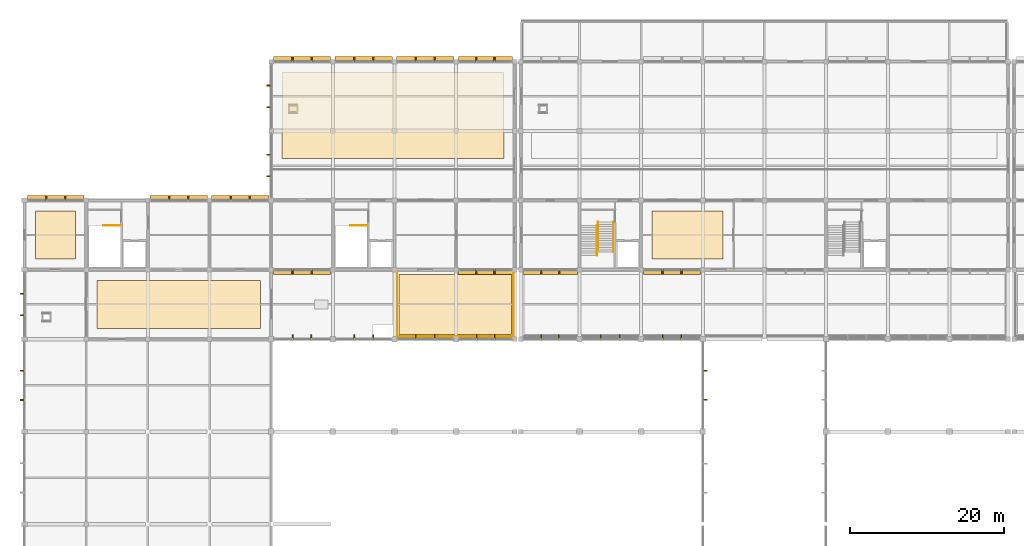
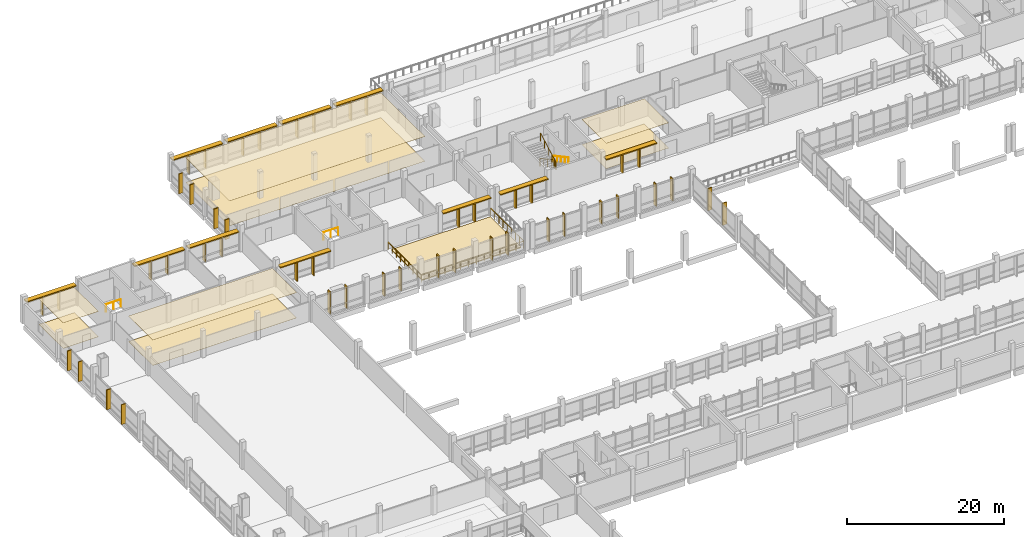
# One storey, part 67 of 70: 57 shading devices, 9 coverings, 5 railings.
"""IFC4 building model written with IfcOpenShell, lengths in metres."""

import ifcopenshell
import ifcopenshell.guid

model = None  # the IFC model being written
_history = None  # IfcOwnerHistory: only IFC2X3 demands one
_inside = {}  # id of a spatial element -> (the spatial element, [elements in it])
_under = {}  # id of a project, library or spatial element -> (it, [spatial elements below it])
_declared = {}  # id of a project -> (the project, [libraries it declares])
_typed = {}  # id of a type object -> (the type object, [elements of that type])
_made_of = {}  # id of a material, layer set ... -> (it, [elements and type objects made of it])


def new_model(schema):
    """Start an empty IFC model of exactly this schema.

    Asked for "IFC4X3", IfcOpenShell would pick the latest addendum, in which some entities
    have other attributes; the version numbers below select the first issue.
    IFC2X3 requires an IfcOwnerHistory on every rooted entity: one is made here for all.
    """
    global model, _history
    if schema == "IFC4X3":
        model = ifcopenshell.file(schema_version=(4, 3, 0, 0))
    else:
        model = ifcopenshell.file(schema=schema)
    _inside.clear()
    _under.clear()
    _declared.clear()
    _typed.clear()
    _made_of.clear()
    _history = None
    if model.schema == "IFC2X3":
        org = make("IfcOrganization", Name="unknown")
        user = make(
            "IfcPersonAndOrganization",
            ThePerson=make("IfcPerson", FamilyName="unknown"),
            TheOrganization=org,
        )
        app = make(
            "IfcApplication",
            ApplicationDeveloper=org,
            Version="unknown",
            ApplicationFullName="unknown",
            ApplicationIdentifier="unknown",
        )
        _history = make(
            "IfcOwnerHistory",
            OwningUser=user,
            OwningApplication=app,
            ChangeAction="ADDED",
            CreationDate=0,
        )
    return model


def make(cls, **values):
    """One entity of the class cls with the attributes given. An attribute that is None is left unset."""
    return model.create_entity(
        cls, **{name: value for name, value in values.items() if value is not None}
    )


def rooted(cls, **values):
    """An entity with a GlobalId (a new one), such as an element, a storey or a relation."""
    return make(cls, GlobalId=ifcopenshell.guid.new(), OwnerHistory=_history, **values)


def si_unit(unit_type, name, prefix=None):
    """IfcSIUnit, for example si_unit("LENGTHUNIT", "METRE", prefix="MILLI")."""
    return make("IfcSIUnit", UnitType=unit_type, Prefix=prefix, Name=name)


def assignment(units):
    """IfcUnitAssignment: the units of a project."""
    return None if units is None else make("IfcUnitAssignment", Units=units)


def point(xyz):
    """IfcCartesianPoint."""
    return None if xyz is None else make("IfcCartesianPoint", Coordinates=xyz)


def direction(xyz):
    """IfcDirection."""
    return None if xyz is None else make("IfcDirection", DirectionRatios=xyz)


def frame(location, z_axis=None, x_axis=None):
    """IfcAxis2Placement3D, a coordinate frame: its origin and axes. An axis left out is left unset."""
    return make(
        "IfcAxis2Placement3D",
        Location=point(location),
        Axis=direction(z_axis),
        RefDirection=direction(x_axis),
    )


def frame_2d(location, x_axis=None):
    """IfcAxis2Placement2D, a coordinate frame in the plane: its origin and x axis."""
    return make(
        "IfcAxis2Placement2D", Location=point(location), RefDirection=direction(x_axis)
    )


def origin():
    """The frame at (0, 0, 0) with its axes left unset."""
    return frame((0.0, 0.0, 0.0))


def origin_2d():
    """The frame at (0, 0) in the plane with its x axis left unset."""
    return frame_2d((0.0, 0.0))


def place(relative_to, where):
    """IfcLocalPlacement: puts the frame where relative to a parent placement (None: the world)."""
    return make(
        "IfcLocalPlacement", PlacementRelTo=relative_to, RelativePlacement=where
    )


def context(
    kind, dimensions, precision=None, world=None, true_north=None, identifier=None
):
    """IfcGeometricRepresentationContext, for example the 3D "Model" context."""
    return make(
        "IfcGeometricRepresentationContext",
        ContextIdentifier=identifier,
        ContextType=kind,
        CoordinateSpaceDimension=dimensions,
        Precision=precision,
        WorldCoordinateSystem=world,
        TrueNorth=true_north,
    )


def subcontext(parent, identifier, kind, view, scale=None):
    """IfcGeometricRepresentationSubContext, for example "Body" below "Model"."""
    return make(
        "IfcGeometricRepresentationSubContext",
        ContextIdentifier=identifier,
        ContextType=kind,
        ParentContext=parent,
        TargetScale=scale,
        TargetView=view,
    )


def project(units=None, contexts=None):
    """IfcProject with its units and contexts."""
    return rooted(
        "IfcProject",
        Name="project",
        RepresentationContexts=contexts,
        UnitsInContext=assignment(units),
    )


def spatial(cls, under=None, at=None, **own):
    """A site, building, storey or space (cls), placed at a placement, below another one or the project."""
    s = rooted(cls, ObjectPlacement=at, **own)
    if under is not None:
        _under.setdefault(under.id(), (under, []))[1].append(s)
    return s


def polyline(points):
    """IfcPolyline through the points."""
    return make("IfcPolyline", Points=[point(p) for p in points])


def profile(cls, at=None, kind="AREA", **sizes):
    """A parametric profile (cls). Its sizes go by their IFC names, for example OverallWidth=200.0."""
    return make(cls, ProfileType=kind, Position=at, **sizes)


def rectangle(**sizes):
    """IfcRectangleProfileDef."""
    return profile("IfcRectangleProfileDef", **sizes)


def circle(**sizes):
    """IfcCircleProfileDef."""
    return profile("IfcCircleProfileDef", **sizes)


def outline(outer, holes=None, kind="AREA"):
    """IfcArbitraryClosedProfileDef: a profile drawn as a closed curve; with holes, ...WithVoids."""
    if holes is None:
        return make("IfcArbitraryClosedProfileDef", ProfileType=kind, OuterCurve=outer)
    return make(
        "IfcArbitraryProfileDefWithVoids",
        ProfileType=kind,
        OuterCurve=outer,
        InnerCurves=holes,
    )


def extrude(swept, where, along, depth):
    """IfcExtrudedAreaSolid: the profile swept, set in the frame where, extruded along a direction by depth."""
    return make(
        "IfcExtrudedAreaSolid",
        SweptArea=swept,
        Position=where,
        ExtrudedDirection=direction(along),
        Depth=depth,
    )


def shape(context_of_items, identifier, shape_type, items):
    """IfcShapeRepresentation: the items that make up one representation, for example the "Body"."""
    return make(
        "IfcShapeRepresentation",
        ContextOfItems=context_of_items,
        RepresentationIdentifier=identifier,
        RepresentationType=shape_type,
        Items=items,
    )


def material(Name=None, Category=None):
    """IfcMaterial."""
    return make("IfcMaterial", Name=Name, Category=Category)


def layer(
    of_material, thickness, ventilated=None, Name=None, Category=None, Priority=None
):
    """IfcMaterialLayer: one layer of a wall or slab, of a material (None: an air gap)."""
    return make(
        "IfcMaterialLayer",
        Material=of_material,
        LayerThickness=thickness,
        IsVentilated=ventilated,
        Name=Name,
        Category=Category,
        Priority=Priority,
    )


def layer_set(layers, Name=None):
    """IfcMaterialLayerSet."""
    return make("IfcMaterialLayerSet", MaterialLayers=layers, LayerSetName=Name)


def made_of(thing, what):
    """Note that an element or type object is made of a material, layer set ...; save() writes the relation."""
    if what is not None:
        _made_of.setdefault(what.id(), (what, []))[1].append(thing)
    return thing


def type_object(cls, material=None, **own):
    """A type object (cls), such as IfcWallType, which elements share."""
    return made_of(rooted(cls, **own), material)


def element(
    cls,
    number,
    at=None,
    inside=None,
    cuts=None,
    type_object=None,
    material=None,
    context=None,
    identifier="Body",
    shape_type=None,
    held_by="IfcProductDefinitionShape",
    body=None,
    shapes=None,
    **own,
):
    """One element of the class cls, such as IfcWall. Its Tag is "e" and its number.

    at: its placement. inside: the storey or other place that contains it. cuts: it is an
    opening in that element (IfcRelVoidsElement). A single representation is given by context,
    identifier, shape_type and body (its items); several are given by shapes. held_by: the class
    of the entity that holds the representations. save() writes the other relations.
    """
    e = rooted(cls, Tag="e%d" % number, ObjectPlacement=at, **own)
    if body is not None:
        shapes = [shape(context, identifier, shape_type, body)]
    if shapes is not None:
        e.Representation = make(held_by, Representations=shapes)
    if inside is not None:
        _inside.setdefault(inside.id(), (inside, []))[1].append(e)
    if cuts is not None:
        rooted(
            "IfcRelVoidsElement", RelatingBuildingElement=cuts, RelatedOpeningElement=e
        )
    if type_object is not None:
        _typed.setdefault(type_object.id(), (type_object, []))[1].append(e)
    return made_of(e, material)


def aggregate(whole, parts):
    """IfcRelAggregates: a whole, such as a stair, and the parts it consists of."""
    return rooted("IfcRelAggregates", RelatingObject=whole, RelatedObjects=parts)


def save(model, path):
    """Write the relations noted so far, then the file.

    IfcRelAggregates (storeys below a building ...), IfcRelContainedInSpatialStructure (elements
    in a storey), IfcRelDefinesByType, IfcRelAssociatesMaterial and IfcRelDeclares: one each for
    every whole, place, type object, material and project.
    """
    for whole, parts in _under.values():
        aggregate(whole, parts)
    for where, things in _inside.values():
        rooted(
            "IfcRelContainedInSpatialStructure",
            RelatedElements=things,
            RelatingStructure=where,
        )
    for kind, things in _typed.values():
        rooted("IfcRelDefinesByType", RelatedObjects=things, RelatingType=kind)
    for what, things in _made_of.values():
        rooted("IfcRelAssociatesMaterial", RelatedObjects=things, RelatingMaterial=what)
    for by, libraries in _declared.values():
        rooted("IfcRelDeclares", RelatingContext=by, RelatedDefinitions=libraries)
    model.write(path)


model = new_model("IFC4")

# Units and contexts
model_context = context("Model", 3, precision=1e-05, world=origin(), true_north=direction((0.0, 1.0)))
body_context = subcontext(model_context, "Body", "Model", "MODEL_VIEW")
ifc_project = project(units=[si_unit("LENGTHUNIT", "METRE"), si_unit("AREAUNIT", "SQUARE_METRE"), si_unit("VOLUMEUNIT", "CUBIC_METRE"), si_unit("PLANEANGLEUNIT", "RADIAN"), si_unit("MASSUNIT", "GRAM", prefix="KILO"), si_unit("THERMODYNAMICTEMPERATUREUNIT", "KELVIN"), si_unit("POWERUNIT", "WATT")], contexts=[model_context])

# Site, building, storey
site_placement = place(None, origin())
site = spatial("IfcSite", under=ifc_project, at=site_placement, CompositionType="ELEMENT")
building_placement = place(site_placement, origin())
building = spatial("IfcBuilding", under=site, at=building_placement, Name="Kronsvod Quay Wholesale Market", CompositionType="ELEMENT")
storey_placement = place(building_placement, frame((0.0, 0.0, 9.0)))
storey = spatial("IfcBuildingStorey", under=building, at=storey_placement, Name="L02", CompositionType="ELEMENT", Elevation=9.0)

# Coverings
ifc_material_1 = material(Name="Perforated acoustic mineral-wool ceiling")
ifc_layer_1 = layer(ifc_material_1, 0.030029296875)
ifc_layer_set_1 = layer_set([ifc_layer_1], Name="Perforated acoustic mineral-wool ceiling")
covering_type_1 = type_object("IfcCoveringType", Name="Cov_Ceil01", PredefinedType="CEILING", material=ifc_layer_set_1)
covering_1_placement = place(storey_placement, frame((0.0, 0.0, 3.919921875)))
element("IfcCovering", 1, at=covering_1_placement, inside=storey, type_object=covering_type_1, Name="CLG-SP-L02-V5-05A", PredefinedType="CEILING", context=body_context, shape_type="SweptSolid", body=[
    extrude(outline(polyline([(81.39990234375, 100.39990234375), (90.60009765625, 100.39990234375), (90.60009765625, 106.60009765625), (81.39990234375, 106.60009765625), (81.39990234375, 100.39990234375)])), origin(), (0.0, 0.0, 1.0), 0.030029296875),
])
covering_2_placement = place(storey_placement, frame((0.0, 0.0, 3.860107421875)))
element("IfcCovering", 2, at=covering_2_placement, inside=storey, type_object=covering_type_1, Name="CLG-SP-L02-V5-10", PredefinedType="CEILING", context=body_context, shape_type="SweptSolid", body=[
    extrude(outline(polyline([(33.39990234375, 113.39990234375), (62.199951171875, 113.39990234375), (62.199951171875, 124.60009765625), (33.39990234375, 124.60009765625), (33.39990234375, 113.39990234375)])), origin(), (0.0, 0.0, 1.0), 0.02978515625),
])
ifc_material_2 = material(Name="Moisture-resistant gypsum board ceiling")
ifc_layer_2 = layer(ifc_material_2, 0.02490234375)
ifc_layer_set_2 = layer_set([ifc_layer_2], Name="Moisture-resistant gypsum board ceiling")
covering_type_2 = type_object("IfcCoveringType", Name="Cov_Ceil03", PredefinedType="CEILING", material=ifc_layer_set_2)
covering_3_placement = place(storey_placement, frame((0.0, 0.0, 3.955078125)))
element("IfcCovering", 3, at=covering_3_placement, inside=storey, type_object=covering_type_2, Name="CLG-SP-L02-V3-06", PredefinedType="CEILING", context=body_context, shape_type="SweptSolid", body=[
    extrude(outline(polyline([(9.39990234375, 91.39990234375), (30.60009765625, 91.39990234375), (30.60009765625, 97.60009765625), (9.39990234375, 97.60009765625), (9.39990234375, 91.39990234375)])), origin(), (0.0, 0.0, 1.0), 0.02490234375),
])
covering_4_placement = place(storey_placement, frame((0.0, 0.0, 3.955078125)))
element("IfcCovering", 4, at=covering_4_placement, inside=storey, type_object=covering_type_2, Name="CLG-SP-L02-V3-07", PredefinedType="CEILING", context=body_context, shape_type="SweptSolid", body=[
    extrude(outline(polyline([(1.39990234375, 100.39990234375), (6.60009765625, 100.39990234375), (6.60009765625, 106.60009765625), (1.39990234375, 106.60009765625), (1.39990234375, 100.39990234375)])), origin(), (0.0, 0.0, 1.0), 0.02490234375),
])
ifc_material_3 = material(Name="Heavy-duty polyurethane resin market screed")
ifc_layer_3 = layer(ifc_material_3, 0.02001953125)
ifc_layer_set_3 = layer_set([ifc_layer_3], Name="Heavy-duty polyurethane resin market screed")
covering_type_3 = type_object("IfcCoveringType", Name="Cov_Floor01", PredefinedType="FLOORING", material=ifc_layer_set_3)
covering_5_placement = place(storey_placement, origin())
element("IfcCovering", 5, at=covering_5_placement, inside=storey, type_object=covering_type_3, Name="FLR-SP-L02-V3-07", PredefinedType="FLOORING", context=body_context, shape_type="SweptSolid", body=[
    extrude(outline(polyline([(1.39990234375, 100.39990234375), (6.60009765625, 100.39990234375), (6.60009765625, 106.60009765625), (1.39990234375, 106.60009765625), (1.39990234375, 100.39990234375)])), origin(), (0.0, 0.0, 1.0), 0.02001953125),
])
ifc_material_4 = material(Name="Polished terrazzo concourse flooring")
ifc_layer_4 = layer(ifc_material_4, 0.01806640625)
ifc_layer_set_4 = layer_set([ifc_layer_4], Name="Polished terrazzo concourse flooring")
covering_type_4 = type_object("IfcCoveringType", Name="Cov_Floor03", PredefinedType="FLOORING", material=ifc_layer_set_4)
covering_6_placement = place(storey_placement, origin())
element("IfcCovering", 6, at=covering_6_placement, inside=storey, type_object=covering_type_4, Name="FLR-SP-L02-V3-06", PredefinedType="FLOORING", context=body_context, shape_type="SweptSolid", body=[
    extrude(outline(polyline([(9.39990234375, 91.39990234375), (30.60009765625, 91.39990234375), (30.60009765625, 97.60009765625), (9.39990234375, 97.60009765625), (9.39990234375, 91.39990234375)])), origin(), (0.0, 0.0, 1.0), 0.01806640625),
])
covering_7_placement = place(storey_placement, origin())
element("IfcCovering", 7, at=covering_7_placement, inside=storey, type_object=covering_type_4, Name="FLR-SP-L02-V5-05A", PredefinedType="FLOORING", context=body_context, shape_type="SweptSolid", body=[
    extrude(outline(polyline([(81.39990234375, 100.39990234375), (90.60009765625, 100.39990234375), (90.60009765625, 106.60009765625), (81.39990234375, 106.60009765625), (81.39990234375, 100.39990234375)])), origin(), (0.0, 0.0, 1.0), 0.01806640625),
])
covering_8_placement = place(storey_placement, origin())
element("IfcCovering", 8, at=covering_8_placement, inside=storey, type_object=covering_type_4, Name="FLR-SP-L02-V5-10", PredefinedType="FLOORING", context=body_context, shape_type="SweptSolid", body=[
    extrude(outline(polyline([(33.39990234375, 113.39990234375), (62.199951171875, 113.39990234375), (62.199951171875, 124.60009765625), (33.39990234375, 124.60009765625), (33.39990234375, 113.39990234375)])), origin(), (0.0, 0.0, 1.0), 0.01806640625),
])
ifc_material_5 = material(Name="Planted green roof sedum substrate")
ifc_layer_5 = layer(ifc_material_5, 0.139892578125)
ifc_layer_set_5 = layer_set([ifc_layer_5], Name="Planted green roof sedum substrate")
covering_type_5 = type_object("IfcCoveringType", Name="Cov_GreenRoofSubstrate", PredefinedType="ROOFING", material=ifc_layer_set_5)
covering_9_placement = place(storey_placement, origin())
element("IfcCovering", 9, at=covering_9_placement, inside=storey, type_object=covering_type_5, Name="COV-GD-L02W", PredefinedType="ROOFING", context=body_context, shape_type="SweptSolid", body=[
    extrude(outline(polyline([(48.60009765625, 90.60009765625), (63.199951171875, 90.60009765625), (63.199951171875, 98.39990234375), (48.60009765625, 98.39990234375), (48.60009765625, 90.60009765625)])), origin(), (0.0, 0.0, 1.0), 0.139892578125),
])

# Railings
ifc_material_6 = material(Name="Stainless steel and laminated glass", Category="steel")
railing_type_1 = type_object("IfcRailingType", Name="Railing_Balustrade1150", PredefinedType="BALUSTRADE", material=ifc_material_6)
railing_1_placement = place(storey_placement, frame((48.35009765625, 98.800048828125, 0.0)))
element("IfcRailing", 10, at=railing_1_placement, inside=storey, type_object=railing_type_1, Name="GRD-L02-GD1", PredefinedType="BALUSTRADE", context=body_context, shape_type="SweptSolid", body=[
    extrude(circle(Radius=0.02392578125, at=origin_2d()), frame((0.0, 0.0, 1.1259765625), z_axis=(0.0, -1.0, 0.0), x_axis=(1.0, 0.0, 0.0)), (0.0, 0.0, 1.0), 8.449951171875),
    extrude(circle(Radius=0.02392578125, at=origin_2d()), frame((0.0, -8.449951171875, 1.1259765625), z_axis=(1.0, 0.0, 0.0), x_axis=(0.0, 1.0, 0.0)), (0.0, 0.0, 1.0), 15.099853515625),
    extrude(circle(Radius=0.02392578125, at=origin_2d()), frame((15.099853515625, -8.449951171875, 1.1259765625), z_axis=(0.0, 1.0, 0.0), x_axis=(-1.0, 0.0, 0.0)), (0.0, 0.0, 1.0), 8.449951171875),
    extrude(circle(Radius=0.02099609375, at=origin_2d()), origin(), (0.0, 0.0, 1.0), 1.101806640625),
    extrude(circle(Radius=0.02099609375, at=origin_2d()), frame((0.0, -1.05615234375, 0.0)), (0.0, 0.0, 1.0), 1.101806640625),
    extrude(circle(Radius=0.02099609375, at=origin_2d()), frame((0.0, -2.112548828125, 0.0)), (0.0, 0.0, 1.0), 1.101806640625),
    extrude(circle(Radius=0.02099609375, at=origin_2d()), frame((0.0, -3.168701171875, 0.0)), (0.0, 0.0, 1.0), 1.101806640625),
    extrude(circle(Radius=0.02099609375, at=origin_2d()), frame((0.0, -4.22509765625, 0.0)), (0.0, 0.0, 1.0), 1.101806640625),
    extrude(circle(Radius=0.02099609375, at=origin_2d()), frame((0.0, -5.28125, 0.0)), (0.0, 0.0, 1.0), 1.101806640625),
    extrude(circle(Radius=0.02099609375, at=origin_2d()), frame((0.0, -6.33740234375, 0.0)), (0.0, 0.0, 1.0), 1.101806640625),
    extrude(circle(Radius=0.02099609375, at=origin_2d()), frame((0.0, -7.393798828125, 0.0)), (0.0, 0.0, 1.0), 1.101806640625),
    extrude(circle(Radius=0.02099609375, at=origin_2d()), frame((0.0, -8.449951171875, 0.0)), (0.0, 0.0, 1.0), 1.101806640625),
    extrude(circle(Radius=0.02099609375, at=origin_2d()), frame((1.16162109375, -8.449951171875, 0.0)), (0.0, 0.0, 1.0), 1.101806640625),
    extrude(circle(Radius=0.02099609375, at=origin_2d()), frame((2.322998046875, -8.449951171875, 0.0)), (0.0, 0.0, 1.0), 1.101806640625),
    extrude(circle(Radius=0.02099609375, at=origin_2d()), frame((3.484619140625, -8.449951171875, 0.0)), (0.0, 0.0, 1.0), 1.101806640625),
    extrude(circle(Radius=0.02099609375, at=origin_2d()), frame((4.64599609375, -8.449951171875, 0.0)), (0.0, 0.0, 1.0), 1.101806640625),
    extrude(circle(Radius=0.02099609375, at=origin_2d()), frame((5.8076171875, -8.449951171875, 0.0)), (0.0, 0.0, 1.0), 1.101806640625),
    extrude(circle(Radius=0.02099609375, at=origin_2d()), frame((6.96923828125, -8.449951171875, 0.0)), (0.0, 0.0, 1.0), 1.101806640625),
    extrude(circle(Radius=0.02099609375, at=origin_2d()), frame((8.130615234375, -8.449951171875, 0.0)), (0.0, 0.0, 1.0), 1.101806640625),
    extrude(circle(Radius=0.02099609375, at=origin_2d()), frame((9.292236328125, -8.449951171875, 0.0)), (0.0, 0.0, 1.0), 1.101806640625),
    extrude(circle(Radius=0.02099609375, at=origin_2d()), frame((10.453857421875, -8.449951171875, 0.0)), (0.0, 0.0, 1.0), 1.101806640625),
    extrude(circle(Radius=0.02099609375, at=origin_2d()), frame((11.615234375, -8.449951171875, 0.0)), (0.0, 0.0, 1.0), 1.101806640625),
    extrude(circle(Radius=0.02099609375, at=origin_2d()), frame((12.77685546875, -8.449951171875, 0.0)), (0.0, 0.0, 1.0), 1.101806640625),
    extrude(circle(Radius=0.02099609375, at=origin_2d()), frame((13.938232421875, -8.449951171875, 0.0)), (0.0, 0.0, 1.0), 1.101806640625),
    extrude(circle(Radius=0.02099609375, at=origin_2d()), frame((15.099853515625, -8.449951171875, 0.0)), (0.0, 0.0, 1.0), 1.101806640625),
    extrude(circle(Radius=0.02099609375, at=origin_2d()), frame((15.099853515625, -7.393798828125, 0.0)), (0.0, 0.0, 1.0), 1.101806640625),
    extrude(circle(Radius=0.02099609375, at=origin_2d()), frame((15.099853515625, -6.33740234375, 0.0)), (0.0, 0.0, 1.0), 1.101806640625),
    extrude(circle(Radius=0.02099609375, at=origin_2d()), frame((15.099853515625, -5.28125, 0.0)), (0.0, 0.0, 1.0), 1.101806640625),
    extrude(circle(Radius=0.02099609375, at=origin_2d()), frame((15.099853515625, -4.22509765625, 0.0)), (0.0, 0.0, 1.0), 1.101806640625),
    extrude(circle(Radius=0.02099609375, at=origin_2d()), frame((15.099853515625, -3.168701171875, 0.0)), (0.0, 0.0, 1.0), 1.101806640625),
    extrude(circle(Radius=0.02099609375, at=origin_2d()), frame((15.099853515625, -2.112548828125, 0.0)), (0.0, 0.0, 1.0), 1.101806640625),
    extrude(circle(Radius=0.02099609375, at=origin_2d()), frame((15.099853515625, -1.05615234375, 0.0)), (0.0, 0.0, 1.0), 1.101806640625),
    extrude(circle(Radius=0.02099609375, at=origin_2d()), frame((15.099853515625, 0.0, 0.0)), (0.0, 0.0, 1.0), 1.101806640625),
])
ifc_material_7 = material(Name="Stainless steel", Category="steel")
railing_type_2 = type_object("IfcRailingType", Name="Railing_Guard1200", PredefinedType="GUARDRAIL", material=ifc_material_7)
railing_2_placement = place(storey_placement, frame((10.239990234375, 104.760009765625, 0.0)))
element("IfcRailing", 11, at=railing_2_placement, inside=storey, type_object=railing_type_2, Name="ST02-L01-TOP-GRD", PredefinedType="GUARDRAIL", context=body_context, shape_type="SweptSolid", body=[
    extrude(circle(Radius=0.02392578125, at=origin_2d()), frame((0.0, 0.0, 1.17578125), z_axis=(1.0, 0.0, 0.0), x_axis=(0.0, 1.0, 0.0)), (0.0, 0.0, 1.0), 2.199951171875),
    extrude(circle(Radius=0.02099609375, at=origin_2d()), origin(), (0.0, 0.0, 1.0), 1.15185546875),
    extrude(circle(Radius=0.02099609375, at=origin_2d()), frame((1.10009765625, 0.0, 0.0)), (0.0, 0.0, 1.0), 1.15185546875),
    extrude(circle(Radius=0.02099609375, at=origin_2d()), frame((2.199951171875, 0.0, 0.0)), (0.0, 0.0, 1.0), 1.15185546875),
])
railing_3_placement = place(storey_placement, frame((42.260009765625, 104.760009765625, 0.0)))
element("IfcRailing", 12, at=railing_3_placement, inside=storey, type_object=railing_type_2, Name="ST07-L01-TOP-GRD", PredefinedType="GUARDRAIL", context=body_context, shape_type="SweptSolid", body=[
    extrude(circle(Radius=0.02392578125, at=origin_2d()), frame((0.0, 0.0, 1.17578125), z_axis=(1.0, 0.0, 0.0), x_axis=(0.0, 1.0, 0.0)), (0.0, 0.0, 1.0), 2.179931640625),
    extrude(circle(Radius=0.02099609375, at=origin_2d()), origin(), (0.0, 0.0, 1.0), 1.15185546875),
    extrude(circle(Radius=0.02099609375, at=origin_2d()), frame((1.08984375, 0.0, 0.0)), (0.0, 0.0, 1.0), 1.15185546875),
    extrude(circle(Radius=0.02099609375, at=origin_2d()), frame((2.179931640625, 0.0, 0.0)), (0.0, 0.0, 1.0), 1.15185546875),
])
railing_4_placement = place(storey_placement, frame((74.39990234375, 105.179931640625, 0.0)))
element("IfcRailing", 13, at=railing_4_placement, inside=storey, type_object=railing_type_2, Name="ST08-L02-SLOT-GRD", PredefinedType="GUARDRAIL", context=body_context, shape_type="SweptSolid", body=[
    extrude(circle(Radius=0.02392578125, at=origin_2d()), frame((0.0, 0.0, 1.17578125), z_axis=(0.0, -0.877878551877, 0.478883334596), x_axis=(1.0, 0.0, 0.0)), (0.0, 0.0, 1.0), 4.385498046875),
    extrude(circle(Radius=0.02392578125, at=origin_2d()), frame((0.0, -3.849853515625, 3.27587890625), z_axis=(-1.0, 0.0, 0.0), x_axis=(0.0, -1.0, 0.0)), (0.0, 0.0, 1.0), 0.139892578125),
    extrude(circle(Radius=0.02392578125, at=origin_2d()), frame((-0.139892578125, -3.849853515625, 3.27587890625), z_axis=(0.0, -1.0, 0.0), x_axis=(1.0, 0.0, 0.0)), (0.0, 0.0, 1.0), 0.469970703125),
    extrude(circle(Radius=0.02392578125, at=origin_2d()), frame((-0.139892578125, -4.31982421875, 3.27587890625), z_axis=(0.0, 0.88047994924, 0.474083388219), x_axis=(-1.0, 0.0, 0.0)), (0.0, 0.0, 1.0), 4.42919921875),
    extrude(circle(Radius=0.02099609375, at=origin_2d()), origin(), (0.0, 0.0, 1.0), 1.15185546875),
    extrude(circle(Radius=0.02099609375, at=origin_2d()), frame((0.0, -0.96240234375, 0.52490234375)), (0.0, 0.0, 1.0), 1.15185546875),
    extrude(circle(Radius=0.02099609375, at=origin_2d()), frame((0.0, -1.9248046875, 1.050048828125)), (0.0, 0.0, 1.0), 1.15185546875),
    extrude(circle(Radius=0.02099609375, at=origin_2d()), frame((0.0, -2.887451171875, 1.5751953125)), (0.0, 0.0, 1.0), 1.15185546875),
    extrude(circle(Radius=0.02099609375, at=origin_2d()), frame((0.0, -3.849853515625, 2.10009765625)), (0.0, 0.0, 1.0), 1.15185546875),
    extrude(circle(Radius=0.02099609375, at=origin_2d()), frame((-0.139892578125, -3.849853515625, 2.10009765625)), (0.0, 0.0, 1.0), 1.15185546875),
    extrude(circle(Radius=0.02099609375, at=origin_2d()), frame((-0.139892578125, -4.31982421875, 2.10009765625)), (0.0, 0.0, 1.0), 1.15185546875),
    extrude(circle(Radius=0.02099609375, at=origin_2d()), frame((-0.139892578125, -3.3447265625, 2.625)), (0.0, 0.0, 1.0), 1.15185546875),
    extrude(circle(Radius=0.02099609375, at=origin_2d()), frame((-0.139892578125, -2.369873046875, 3.14990234375)), (0.0, 0.0, 1.0), 1.15185546875),
    extrude(circle(Radius=0.02099609375, at=origin_2d()), frame((-0.139892578125, -1.39501953125, 3.675048828125)), (0.0, 0.0, 1.0), 1.15185546875),
    extrude(circle(Radius=0.02099609375, at=origin_2d()), frame((-0.139892578125, -0.419921875, 4.199951171875)), (0.0, 0.0, 1.0), 1.15185546875),
])
ifc_material_8 = material(Name="Stainless steel", Category="steel")
railing_type_3 = type_object("IfcRailingType", Name="Railing_Handrail900", PredefinedType="HANDRAIL", material=ifc_material_8)
railing_5_placement = place(storey_placement, frame((76.3798828125, 105.179931640625, 0.0)))
element("IfcRailing", 14, at=railing_5_placement, inside=storey, type_object=railing_type_3, Name="ST08-L02-HDR", PredefinedType="HANDRAIL", context=body_context, shape_type="SweptSolid", body=[
    extrude(circle(Radius=0.02392578125, at=origin_2d()), frame((0.0, 0.0, 0.8759765625), z_axis=(0.0, -0.880456940745, 0.474126117709), x_axis=(1.0, 0.0, 0.0)), (0.0, 0.0, 1.0), 4.429443359375),
    extrude(circle(Radius=0.02099609375, at=origin_2d()), origin(), (0.0, 0.0, 1.0), 0.851806640625),
    extrude(circle(Radius=0.02099609375, at=origin_2d()), frame((0.0, -0.97509765625, 0.52490234375)), (0.0, 0.0, 1.0), 0.851806640625),
    extrude(circle(Radius=0.02099609375, at=origin_2d()), frame((0.0, -1.949951171875, 1.050048828125)), (0.0, 0.0, 1.0), 0.851806640625),
    extrude(circle(Radius=0.02099609375, at=origin_2d()), frame((0.0, -2.9248046875, 1.5751953125)), (0.0, 0.0, 1.0), 0.851806640625),
    extrude(circle(Radius=0.02099609375, at=origin_2d()), frame((0.0, -3.89990234375, 2.10009765625)), (0.0, 0.0, 1.0), 0.851806640625),
])

# Shading devices
ifc_material_9 = material(Name="Anodised aluminium", Category="aluminium")
shading_device_type_1 = type_object("IfcShadingDeviceType", Name="Shade_SolarFin", PredefinedType="AWNING", material=ifc_material_9)
for number, where, z_axis, x_axis, name in (
    (15, (34.78173828125, 90.280029296875, -0.02001953125), (0.0, 0.0, 1.0), (1.0, 0.0, 0.0), "SHDF-CWGX-L02-320-900-348"),
    (16, (37.21826171875, 90.280029296875, -0.02001953125), (0.0, 0.0, 1.0), (1.0, 0.0, 0.0), "SHDF-CWGX-L02-320-900-372"),
    (17, (42.78173828125, 90.280029296875, -0.02001953125), (0.0, 0.0, 1.0), (1.0, 0.0, 0.0), "SHDF-CWGX-L02-400-900-428"),
    (18, (45.21826171875, 90.280029296875, -0.02001953125), (0.0, 0.0, 1.0), (1.0, 0.0, 0.0), "SHDF-CWGX-L02-400-900-452"),
    (19, (50.78173828125, 90.280029296875, -0.02001953125), (0.0, 0.0, 1.0), (1.0, 0.0, 0.0), "SHDF-CWGX-L02-480-900-508"),
    (20, (53.21826171875, 90.280029296875, -0.02001953125), (0.0, 0.0, 1.0), (1.0, 0.0, 0.0), "SHDF-CWGX-L02-480-900-532"),
    (21, (58.6650390625, 90.280029296875, -0.02001953125), (0.0, 0.0, 1.0), (1.0, 0.0, 0.0), "SHDF-CWGX-L02-560-900-587"),
    (22, (60.985107421875, 90.280029296875, -0.02001953125), (0.0, 0.0, 1.0), (1.0, 0.0, 0.0), "SHDF-CWGX-L02-560-900-610"),
):
    element("IfcShadingDevice", number, at=place(storey_placement, frame(where, z_axis=z_axis, x_axis=x_axis)), inside=storey, type_object=shading_device_type_1, Name=name, PredefinedType="AWNING", context=body_context, shape_type="SweptSolid", body=[
        extrude(rectangle(XDim=0.139892578125, YDim=0.6201171875, at=origin_2d()), origin(), (0.0, 0.0, 1.0), 3.4599609375),
    ])
for number, where, z_axis, x_axis, name in (
    (23, (34.764892578125, 98.719970703125, -0.02001953125), (0.0, 0.0, 1.0), (1.0, 0.0, 0.0), "SHDF-CWGX-L02-320-990-348"),
    (24, (37.235107421875, 98.719970703125, -0.02001953125), (0.0, 0.0, 1.0), (1.0, 0.0, 0.0), "SHDF-CWGX-L02-320-990-372"),
    (25, (58.631591796875, 98.719970703125, -0.02001953125), (0.0, 0.0, 1.0), (1.0, 0.0, 0.0), "SHDF-CWGX-L02-560-990-586"),
    (26, (60.96826171875, 98.719970703125, -0.02001953125), (0.0, 0.0, 1.0), (1.0, 0.0, 0.0), "SHDF-CWGX-L02-560-990-610"),
    (27, (2.831787109375, 108.280029296875, -0.02001953125), (0.0, 0.0, 1.0), (1.0, 0.0, 0.0), "SHDF-CWGX-L02-0-1080-28"),
    (28, (5.268310546875, 108.280029296875, -0.02001953125), (0.0, 0.0, 1.0), (1.0, 0.0, 0.0), "SHDF-CWGX-L02-0-1080-53"),
    (29, (18.764892578125, 108.280029296875, -0.02001953125), (0.0, 0.0, 1.0), (1.0, 0.0, 0.0), "SHDF-CWGX-L02-160-1080-188"),
    (30, (21.235107421875, 108.280029296875, -0.02001953125), (0.0, 0.0, 1.0), (1.0, 0.0, 0.0), "SHDF-CWGX-L02-160-1080-212"),
    (31, (26.756591796875, 108.280029296875, -0.02001953125), (0.0, 0.0, 1.0), (1.0, 0.0, 0.0), "SHDF-CWGX-L02-240-1080-268"),
    (32, (29.21826171875, 108.280029296875, -0.02001953125), (0.0, 0.0, 1.0), (1.0, 0.0, 0.0), "SHDF-CWGX-L02-240-1080-292"),
    (33, (34.764892578125, 126.280029296875, -0.02001953125), (0.0, 0.0, 1.0), (1.0, 0.0, 0.0), "SHDF-CWGX-L02-320-1260-348"),
    (34, (37.235107421875, 126.280029296875, -0.02001953125), (0.0, 0.0, 1.0), (1.0, 0.0, 0.0), "SHDF-CWGX-L02-320-1260-372"),
    (35, (42.764892578125, 126.280029296875, -0.02001953125), (0.0, 0.0, 1.0), (1.0, 0.0, 0.0), "SHDF-CWGX-L02-400-1260-428"),
    (36, (45.235107421875, 126.280029296875, -0.02001953125), (0.0, 0.0, 1.0), (1.0, 0.0, 0.0), "SHDF-CWGX-L02-400-1260-452"),
    (37, (50.764892578125, 126.280029296875, -0.02001953125), (0.0, 0.0, 1.0), (1.0, 0.0, 0.0), "SHDF-CWGX-L02-480-1260-508"),
    (38, (53.235107421875, 126.280029296875, -0.02001953125), (0.0, 0.0, 1.0), (1.0, 0.0, 0.0), "SHDF-CWGX-L02-480-1260-532"),
    (39, (58.631591796875, 126.280029296875, -0.02001953125), (0.0, 0.0, 1.0), (1.0, 0.0, 0.0), "SHDF-CWGX-L02-560-1260-586"),
    (40, (60.96826171875, 126.280029296875, -0.02001953125), (0.0, 0.0, 1.0), (1.0, 0.0, 0.0), "SHDF-CWGX-L02-560-1260-610"),
):
    element("IfcShadingDevice", number, at=place(storey_placement, frame(where, z_axis=z_axis, x_axis=x_axis)), inside=storey, type_object=shading_device_type_1, Name=name, PredefinedType="AWNING", context=body_context, shape_type="SweptSolid", body=[
        extrude(rectangle(XDim=0.139892578125, YDim=0.6201171875, at=origin_2d()), origin(), (0.0, 0.0, 1.0), 3.090087890625),
    ])
for number, where, z_axis, x_axis, name in (
    (41, (-0.280029296875, 82.098388671875, -0.02001953125), (0.0, 0.0, 1.0), (1.0, 0.0, 0.0), "SHDF-CWGY-L02-0-780-821"),
    (42, (-0.280029296875, 85.901611328125, -0.02001953125), (0.0, 0.0, 1.0), (1.0, 0.0, 0.0), "SHDF-CWGY-L02-0-780-859"),
    (43, (-0.280029296875, 93.098388671875, -0.02001953125), (0.0, 0.0, 1.0), (1.0, 0.0, 0.0), "SHDF-CWGY-L02-0-900-931"),
    (44, (-0.280029296875, 95.901611328125, -0.02001953125), (0.0, 0.0, 1.0), (1.0, 0.0, 0.0), "SHDF-CWGY-L02-0-900-959"),
    (45, (31.719970703125, 111.114990234375, -0.02001953125), (0.0, 0.0, 1.0), (1.0, 0.0, 0.0), "SHDF-CWGY-L02-320-1080-1111"),
    (46, (31.719970703125, 113.909912109375, -0.02001953125), (0.0, 0.0, 1.0), (1.0, 0.0, 0.0), "SHDF-CWGY-L02-320-1080-1139"),
    (47, (31.719970703125, 120.098388671875, -0.02001953125), (0.0, 0.0, 1.0), (1.0, 0.0, 0.0), "SHDF-CWGY-L02-320-1170-1201"),
    (48, (31.719970703125, 122.901611328125, -0.02001953125), (0.0, 0.0, 1.0), (1.0, 0.0, 0.0), "SHDF-CWGY-L02-320-1170-1229"),
):
    element("IfcShadingDevice", number, at=place(storey_placement, frame(where, z_axis=z_axis, x_axis=x_axis)), inside=storey, type_object=shading_device_type_1, Name=name, PredefinedType="AWNING", context=body_context, shape_type="SweptSolid", body=[
        extrude(rectangle(XDim=0.6201171875, YDim=0.139892578125, at=origin_2d()), origin(), (0.0, 0.0, 1.0), 3.090087890625),
    ])
for number, where, z_axis, x_axis, name in (
    (49, (67.014892578125, 90.280029296875, -0.02001953125), (0.0, 0.0, 1.0), (1.0, 0.0, 0.0), "SHDF-CWGX-L02-644-900-670"),
    (50, (69.3349609375, 90.280029296875, -0.02001953125), (0.0, 0.0, 1.0), (1.0, 0.0, 0.0), "SHDF-CWGX-L02-644-900-693"),
    (51, (74.78173828125, 90.280029296875, -0.02001953125), (0.0, 0.0, 1.0), (1.0, 0.0, 0.0), "SHDF-CWGX-L02-720-900-748"),
    (52, (77.21826171875, 90.280029296875, -0.02001953125), (0.0, 0.0, 1.0), (1.0, 0.0, 0.0), "SHDF-CWGX-L02-720-900-772"),
    (53, (82.78173828125, 90.280029296875, -0.02001953125), (0.0, 0.0, 1.0), (1.0, 0.0, 0.0), "SHDF-CWGX-L02-800-900-828"),
    (54, (85.21826171875, 90.280029296875, -0.02001953125), (0.0, 0.0, 1.0), (1.0, 0.0, 0.0), "SHDF-CWGX-L02-800-900-852"),
):
    element("IfcShadingDevice", number, at=place(storey_placement, frame(where, z_axis=z_axis, x_axis=x_axis)), inside=storey, type_object=shading_device_type_1, Name=name, PredefinedType="AWNING", context=body_context, shape_type="SweptSolid", body=[
        extrude(rectangle(XDim=0.139892578125, YDim=0.6201171875, at=origin_2d()), origin(), (0.0, 0.0, 1.0), 3.4599609375),
    ])
for number, where, z_axis, x_axis, name in (
    (55, (67.03173828125, 98.719970703125, -0.02001953125), (0.0, 0.0, 1.0), (1.0, 0.0, 0.0), "SHDF-CWGX-L02-644-990-670"),
    (56, (69.368408203125, 98.719970703125, -0.02001953125), (0.0, 0.0, 1.0), (1.0, 0.0, 0.0), "SHDF-CWGX-L02-644-990-694"),
    (57, (82.764892578125, 98.719970703125, -0.02001953125), (0.0, 0.0, 1.0), (1.0, 0.0, 0.0), "SHDF-CWGX-L02-800-990-828"),
    (58, (85.235107421875, 98.719970703125, -0.02001953125), (0.0, 0.0, 1.0), (1.0, 0.0, 0.0), "SHDF-CWGX-L02-800-990-852"),
):
    element("IfcShadingDevice", number, at=place(storey_placement, frame(where, z_axis=z_axis, x_axis=x_axis)), inside=storey, type_object=shading_device_type_1, Name=name, PredefinedType="AWNING", context=body_context, shape_type="SweptSolid", body=[
        extrude(rectangle(XDim=0.139892578125, YDim=0.6201171875, at=origin_2d()), origin(), (0.0, 0.0, 1.0), 3.090087890625),
    ])
for number, where, z_axis, x_axis, name in (
    (59, (88.280029296875, 82.131591796875, -0.02001953125), (0.0, 0.0, 1.0), (1.0, 0.0, 0.0), "SHDF-CWGY-L02-880-780-821"),
    (60, (88.280029296875, 85.893310546875, -0.02001953125), (0.0, 0.0, 1.0), (1.0, 0.0, 0.0), "SHDF-CWGY-L02-880-780-859"),
):
    element("IfcShadingDevice", number, at=place(storey_placement, frame(where, z_axis=z_axis, x_axis=x_axis)), inside=storey, type_object=shading_device_type_1, Name=name, PredefinedType="AWNING", context=body_context, shape_type="SweptSolid", body=[
        extrude(rectangle(XDim=0.6201171875, YDim=0.139892578125, at=origin_2d()), origin(), (0.0, 0.0, 1.0), 3.4599609375),
    ])
ifc_material_10 = material(Name="Anodised aluminium sunshade hood", Category="aluminium")
shading_device_type_2 = type_object("IfcShadingDeviceType", Name="Shade_SunHood", PredefinedType="AWNING", material=ifc_material_10)
shading_device_1_placement = place(storey_placement, frame((36.0, 98.719970703125, 2.93017578125), z_axis=(0.0, 0.0, 1.0), x_axis=(1.0, 0.0, 0.0)))
element("IfcShadingDevice", 61, at=shading_device_1_placement, inside=storey, type_object=shading_device_type_2, Name="SHDH-CWGX-L02-320-990", PredefinedType="AWNING", context=body_context, shape_type="SweptSolid", body=[
    extrude(rectangle(XDim=7.429931640625, YDim=0.719970703125, at=origin_2d()), origin(), (0.0, 0.0, 1.0), 0.159912109375),
])
shading_device_2_placement = place(storey_placement, frame((59.800048828125, 98.719970703125, 2.93017578125), z_axis=(0.0, 0.0, 1.0), x_axis=(1.0, 0.0, 0.0)))
element("IfcShadingDevice", 62, at=shading_device_2_placement, inside=storey, type_object=shading_device_type_2, Name="SHDH-CWGX-L02-560-990", PredefinedType="AWNING", context=body_context, shape_type="SweptSolid", body=[
    extrude(rectangle(XDim=7.030029296875, YDim=0.719970703125, at=origin_2d()), origin(), (0.0, 0.0, 1.0), 0.159912109375),
])
shading_device_3_placement = place(storey_placement, frame((4.050048828125, 108.280029296875, 2.93017578125), z_axis=(0.0, 0.0, 1.0), x_axis=(1.0, 0.0, 0.0)))
element("IfcShadingDevice", 63, at=shading_device_3_placement, inside=storey, type_object=shading_device_type_2, Name="SHDH-CWGX-L02-0-1080", PredefinedType="AWNING", context=body_context, shape_type="SweptSolid", body=[
    extrude(rectangle(XDim=7.330078125, YDim=0.719970703125, at=origin_2d()), origin(), (0.0, 0.0, 1.0), 0.159912109375),
])
shading_device_4_placement = place(storey_placement, frame((20.0, 108.280029296875, 2.93017578125), z_axis=(0.0, 0.0, 1.0), x_axis=(1.0, 0.0, 0.0)))
element("IfcShadingDevice", 64, at=shading_device_4_placement, inside=storey, type_object=shading_device_type_2, Name="SHDH-CWGX-L02-160-1080", PredefinedType="AWNING", context=body_context, shape_type="SweptSolid", body=[
    extrude(rectangle(XDim=7.429931640625, YDim=0.719970703125, at=origin_2d()), origin(), (0.0, 0.0, 1.0), 0.159912109375),
])
shading_device_5_placement = place(storey_placement, frame((27.987548828125, 108.280029296875, 2.93017578125), z_axis=(0.0, 0.0, 1.0), x_axis=(1.0, 0.0, 0.0)))
element("IfcShadingDevice", 65, at=shading_device_5_placement, inside=storey, type_object=shading_device_type_2, Name="SHDH-CWGX-L02-240-1080", PredefinedType="AWNING", context=body_context, shape_type="SweptSolid", body=[
    extrude(rectangle(XDim=7.405029296875, YDim=0.719970703125, at=origin_2d()), origin(), (0.0, 0.0, 1.0), 0.159912109375),
])
for number, where, z_axis, x_axis, name in (
    (66, (36.0, 126.280029296875, 2.93017578125), (0.0, 0.0, 1.0), (1.0, 0.0, 0.0), "SHDH-CWGX-L02-320-1260"),
    (67, (44.0, 126.280029296875, 2.93017578125), (0.0, 0.0, 1.0), (1.0, 0.0, 0.0), "SHDH-CWGX-L02-400-1260"),
    (68, (52.0, 126.280029296875, 2.93017578125), (0.0, 0.0, 1.0), (1.0, 0.0, 0.0), "SHDH-CWGX-L02-480-1260"),
):
    element("IfcShadingDevice", number, at=place(storey_placement, frame(where, z_axis=z_axis, x_axis=x_axis)), inside=storey, type_object=shading_device_type_2, Name=name, PredefinedType="AWNING", context=body_context, shape_type="SweptSolid", body=[
        extrude(rectangle(XDim=7.429931640625, YDim=0.719970703125, at=origin_2d()), origin(), (0.0, 0.0, 1.0), 0.159912109375),
    ])
for number, where, z_axis, x_axis, name in (
    (69, (59.800048828125, 126.280029296875, 2.93017578125), (0.0, 0.0, 1.0), (1.0, 0.0, 0.0), "SHDH-CWGX-L02-560-1260"),
    (70, (68.199951171875, 98.719970703125, 2.93017578125), (0.0, 0.0, 1.0), (1.0, 0.0, 0.0), "SHDH-CWGX-L02-644-990"),
):
    element("IfcShadingDevice", number, at=place(storey_placement, frame(where, z_axis=z_axis, x_axis=x_axis)), inside=storey, type_object=shading_device_type_2, Name=name, PredefinedType="AWNING", context=body_context, shape_type="SweptSolid", body=[
        extrude(rectangle(XDim=7.030029296875, YDim=0.719970703125, at=origin_2d()), origin(), (0.0, 0.0, 1.0), 0.159912109375),
    ])
shading_device_6_placement = place(storey_placement, frame((84.0, 98.719970703125, 2.93017578125), z_axis=(0.0, 0.0, 1.0), x_axis=(1.0, 0.0, 0.0)))
element("IfcShadingDevice", 71, at=shading_device_6_placement, inside=storey, type_object=shading_device_type_2, Name="SHDH-CWGX-L02-800-990", PredefinedType="AWNING", context=body_context, shape_type="SweptSolid", body=[
    extrude(rectangle(XDim=7.429931640625, YDim=0.719970703125, at=origin_2d()), origin(), (0.0, 0.0, 1.0), 0.159912109375),
])

save(model, "model.ifc")
